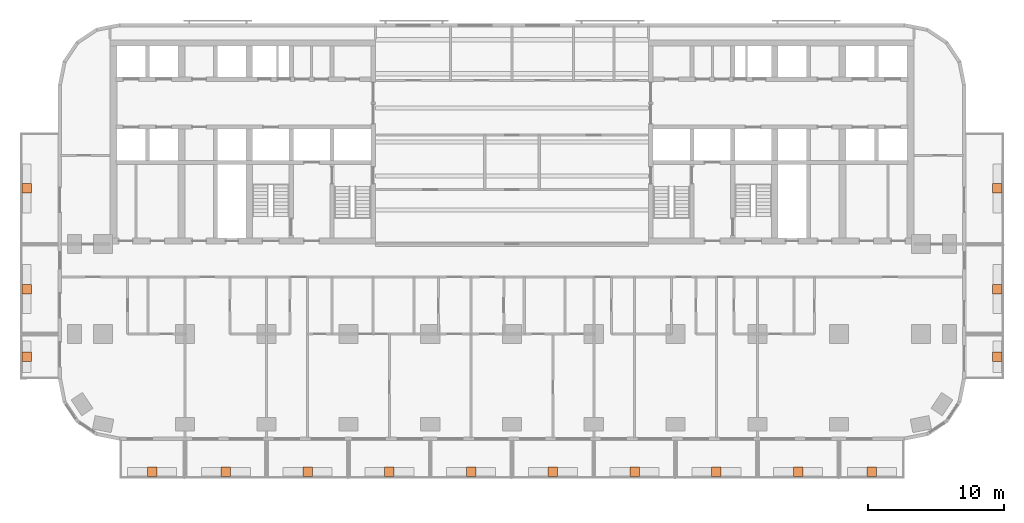
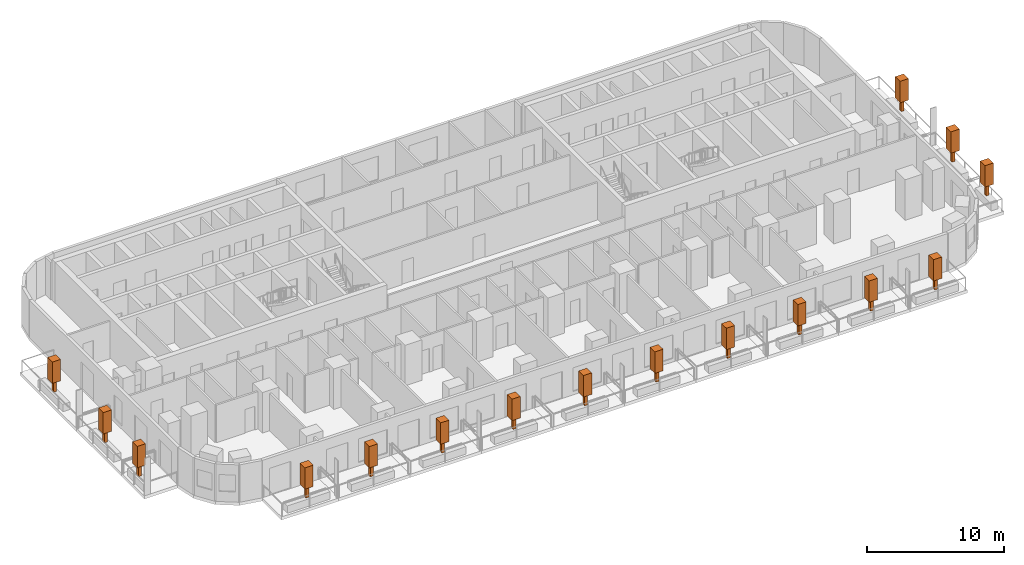
# One storey, part 13 of 13: 16 geographic elements.
"""IFC4 building model written with IfcOpenShell, lengths in metres."""

from ifc_helpers import new_model, si_unit, direction, frame, origin, origin_2d, place, context, subcontext, project, spatial, rectangle, extrude, material, element, save


model = new_model("IFC4")

# Units and contexts
model_context = context("Model", 3, precision=1e-05, world=origin(), true_north=direction((0.0, 1.0)))
body_context = subcontext(model_context, "Body", "Model", "MODEL_VIEW")
ifc_project = project(units=[si_unit("LENGTHUNIT", "METRE"), si_unit("AREAUNIT", "SQUARE_METRE"), si_unit("VOLUMEUNIT", "CUBIC_METRE"), si_unit("PLANEANGLEUNIT", "RADIAN"), si_unit("MASSUNIT", "GRAM", prefix="KILO")], contexts=[model_context])

# Site, building, storey
site_placement = place(None, origin())
site = spatial("IfcSite", under=ifc_project, at=site_placement, CompositionType="ELEMENT")
building_placement = place(site_placement, origin())
building = spatial("IfcBuilding", under=site, at=building_placement, Name="Torana Hotel and Residences", CompositionType="ELEMENT")
storey_placement = place(building_placement, frame((0.0, 0.0, 78.0)))
storey = spatial("IfcBuildingStorey", under=building, at=storey_placement, Name="L19", CompositionType="ELEMENT", Elevation=78.0)

# Geographic elements
ifc_material = material(Name="Foliage", Category="planting")
for number, where, z_axis, x_axis, name in (
    (1, (-26.39990234375, -31.699951171875, 0.64990234375), (0.0, 0.0, 1.0), (1.0, 0.0, 0.0), "Tree 01"),
    (2, (-21.0, -31.699951171875, 0.64990234375), (0.0, 0.0, 1.0), (1.0, 0.0, 0.0), "Tree 02"),
    (3, (-15.0, -31.699951171875, 0.64990234375), (0.0, 0.0, 1.0), (1.0, 0.0, 0.0), "Tree 03"),
    (4, (-9.0, -31.699951171875, 0.64990234375), (0.0, 0.0, 1.0), (1.0, 0.0, 0.0), "Tree 04"),
    (5, (-3.0, -31.699951171875, 0.64990234375), (0.0, 0.0, 1.0), (1.0, 0.0, 0.0), "Tree 05"),
    (6, (3.0, -31.699951171875, 0.64990234375), (0.0, 0.0, 1.0), (1.0, 0.0, 0.0), "Tree 06"),
    (7, (9.0, -31.699951171875, 0.64990234375), (0.0, 0.0, 1.0), (1.0, 0.0, 0.0), "Tree 07"),
    (8, (15.0, -31.699951171875, 0.64990234375), (0.0, 0.0, 1.0), (1.0, 0.0, 0.0), "Tree 08"),
    (9, (21.0, -31.699951171875, 0.64990234375), (0.0, 0.0, 1.0), (1.0, 0.0, 0.0), "Tree 09"),
    (10, (26.39990234375, -31.699951171875, 0.64990234375), (0.0, 0.0, 1.0), (1.0, 0.0, 0.0), "Tree 10"),
    (11, (-35.60009765625, -23.25, 0.64990234375), (0.0, 0.0, 1.0), (1.0, 0.0, 0.0), "Tree 11"),
    (12, (-35.60009765625, -18.300048828125, 0.64990234375), (0.0, 0.0, 1.0), (1.0, 0.0, 0.0), "Tree 12"),
    (13, (-35.60009765625, -10.89990234375, 0.64990234375), (0.0, 0.0, 1.0), (1.0, 0.0, 0.0), "Tree 13"),
    (14, (35.60009765625, -23.25, 0.64990234375), (0.0, 0.0, 1.0), (1.0, 0.0, 0.0), "Tree 14"),
    (15, (35.60009765625, -18.300048828125, 0.64990234375), (0.0, 0.0, 1.0), (1.0, 0.0, 0.0), "Tree 15"),
    (16, (35.60009765625, -10.89990234375, 0.64990234375), (0.0, 0.0, 1.0), (1.0, 0.0, 0.0), "Tree 16"),
):
    element("IfcGeographicElement", number, at=place(storey_placement, frame(where, z_axis=z_axis, x_axis=x_axis)), inside=storey, material=ifc_material, Name=name, ObjectType="TREE", PredefinedType="USERDEFINED", context=body_context, shape_type="SweptSolid", body=[
        extrude(rectangle(XDim=0.25, YDim=0.25, at=origin_2d()), origin(), (0.0, 0.0, 1.0), 1.0),
        extrude(rectangle(XDim=0.699951171875, YDim=0.699951171875, at=origin_2d()), frame((0.0, 0.0, 1.000244140625)), (0.0, 0.0, 1.0), 1.89990234375),
    ])

save(model, "model.ifc")
